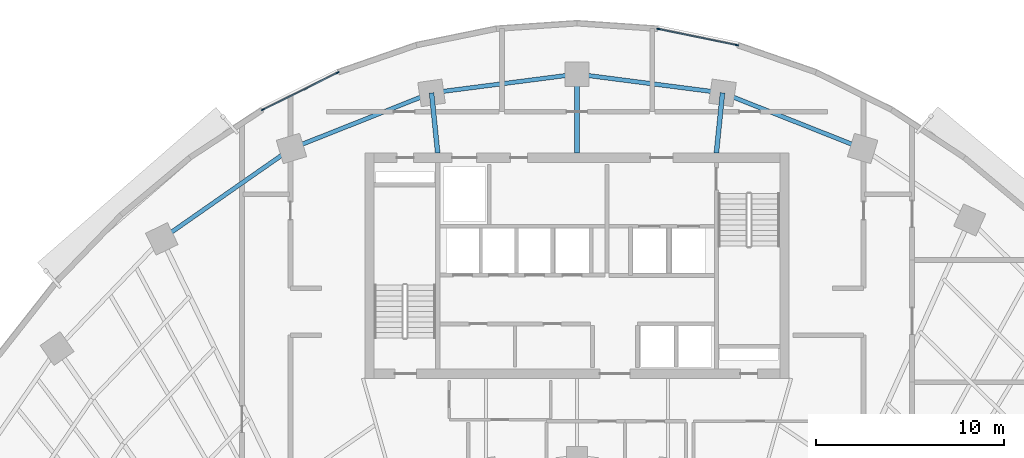
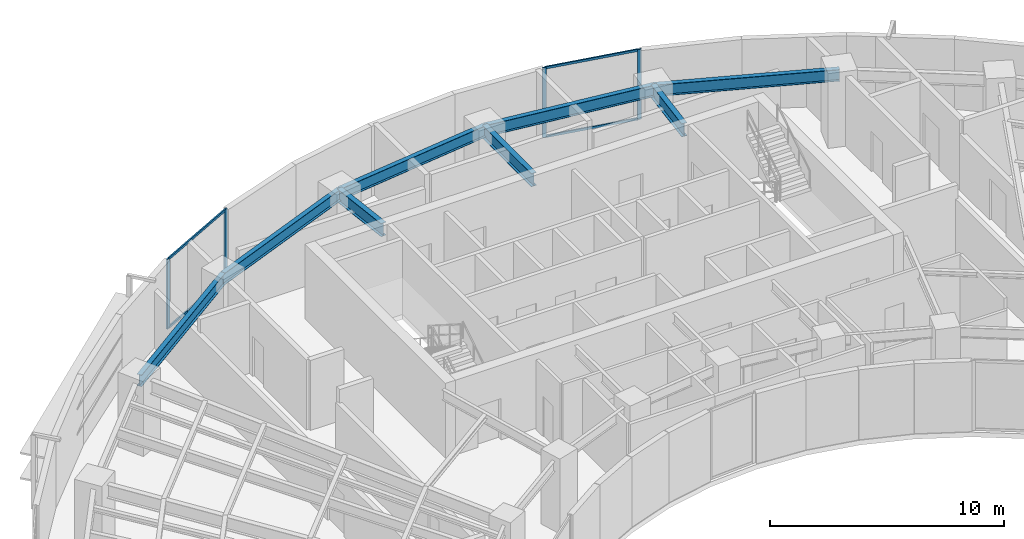
# One storey, part 5 of 14: 8 beams, 8 members, 2 elements without a shape of their own.
"""IFC4 building model written with IfcOpenShell, lengths in metres."""

from ifc_helpers import new_model, si_unit, direction, frame, origin, origin_2d, place, context, subcontext, project, spatial, rectangle, i_section, extrude, source, transform, mapped, material, layer, layer_set, material_profile, profile_set, type_object, element, aggregate, save


model = new_model("IFC4")

# Units and contexts
model_context = context("Model", 3, precision=1e-05, world=origin(), true_north=direction((0.0, 1.0)))
body_context = subcontext(model_context, "Body", "Model", "MODEL_VIEW")
ifc_project = project(units=[si_unit("LENGTHUNIT", "METRE"), si_unit("AREAUNIT", "SQUARE_METRE"), si_unit("VOLUMEUNIT", "CUBIC_METRE"), si_unit("PLANEANGLEUNIT", "RADIAN"), si_unit("MASSUNIT", "GRAM", prefix="KILO")], contexts=[model_context])

# Site, building, storey
site_placement = place(None, origin())
site = spatial("IfcSite", under=ifc_project, at=site_placement, CompositionType="ELEMENT")
building_placement = place(site_placement, origin())
building = spatial("IfcBuilding", under=site, at=building_placement, Name="Breltana Convention Tower", CompositionType="ELEMENT")
storey_placement = place(building_placement, frame((0.0, 0.0, 123.300048828125)))
storey = spatial("IfcBuildingStorey", under=building, at=storey_placement, Name="L29", CompositionType="ELEMENT", Elevation=123.300048828125)

# Beams
ifc_material_1 = material(Name="Steel ASTM A992 Grade 50", Category="steel")
ifc_material_profile_1 = material_profile(ifc_material_1, i_section(OverallWidth=0.25390625, OverallDepth=0.68798828125, WebThickness=0.01318359375, FlangeThickness=0.02099609375, at=origin_2d()), Name="W27X102")
ifc_profile_set_1 = profile_set([ifc_material_profile_1], Name="Steel ASTM A992 Grade 50")
beam_type_1 = type_object("IfcBeamType", Name="BM-RG-W27X102", PredefinedType="USERDEFINED", material=ifc_profile_set_1)
shared_shape_1 = source(origin(), body_context, "Body", "SweptSolid", [
    extrude(i_section(OverallWidth=0.25390625, OverallDepth=0.68798828125, WebThickness=0.01318359375, FlangeThickness=0.02099609375, at=origin_2d()), origin(), (0.0, 0.0, 1.0), 3.220947265625),
])
for number, where, z_axis, x_axis, name in (
    (1, (40.580078125, 72.199951171875, 3.305908203125), (-0.101492254858, 0.994836329355, 0.0), (-0.994836329355, -0.101492254858, 0.0), "L29 North Core Radial Girder R05"),
    (2, (55.419921875, 72.199951171875, 3.305908203125), (0.101492254858, 0.994836329355, 0.0), (-0.994836329355, 0.101492254858, 0.0), "L29 North Core Radial Girder R07"),
):
    element("IfcBeam", number, at=place(storey_placement, frame(where, z_axis=z_axis, x_axis=x_axis)), inside=storey, type_object=beam_type_1, Name=name, ObjectType="GIRDER", PredefinedType="USERDEFINED", context=body_context, shape_type="MappedRepresentation", body=[
        mapped(shared_shape_1, transform((0.0, 0.0, 0.0), scale=1.0)),
    ])
shared_shape_2 = source(origin(), body_context, "Body", "SweptSolid", [
    extrude(i_section(OverallWidth=0.25390625, OverallDepth=0.68798828125, WebThickness=0.01318359375, FlangeThickness=0.02099609375, at=origin_2d()), origin(), (0.0, 0.0, 1.0), 4.2041015625),
])
beam_1_placement = place(storey_placement, frame((48.0, 72.199951171875, 3.305908203125), z_axis=(0.0, 1.0, 0.0), x_axis=(-1.0, 0.0, 0.0)))
element("IfcBeam", 3, at=beam_1_placement, inside=storey, type_object=beam_type_1, Name="L29 North Core Radial Girder R06", ObjectType="GIRDER", PredefinedType="USERDEFINED", context=body_context, shape_type="MappedRepresentation", body=[
    mapped(shared_shape_2, transform((0.0, 0.0, 0.0), scale=1.0)),
])
ifc_material_profile_2 = material_profile(ifc_material_1, i_section(OverallWidth=0.22802734375, OverallDepth=0.60791015625, WebThickness=0.01123046875, FlangeThickness=0.017333984375, at=origin_2d()), Name="W24X76")
ifc_profile_set_2 = profile_set([ifc_material_profile_2], Name="Steel ASTM A992 Grade 50")
beam_type_2 = type_object("IfcBeamType", Name="BM-SP-W24X76", PredefinedType="SPANDREL", material=ifc_profile_set_2)
shared_shape_3 = source(origin(), body_context, "Body", "SweptSolid", [
    extrude(i_section(OverallWidth=0.22802734375, OverallDepth=0.60791015625, WebThickness=0.01123046875, FlangeThickness=0.017333984375, at=origin_2d()), origin(), (0.0, 0.0, 1.0), 8.4169921875),
])
beam_2_placement = place(storey_placement, frame((25.8876953125, 67.626953125, 3.345947265625), z_axis=(0.820173800102, 0.572114444519, 0.0), x_axis=(-0.572114444519, 0.820173800102, 0.0)))
element("IfcBeam", 4, at=beam_2_placement, inside=storey, type_object=beam_type_2, Name="L29 Outer Spandrel Beam 03", PredefinedType="SPANDREL", context=body_context, shape_type="MappedRepresentation", body=[
    mapped(shared_shape_3, transform((0.0, 0.0, 0.0), scale=1.0)),
])
shared_shape_4 = source(origin(), body_context, "Body", "SweptSolid", [
    extrude(i_section(OverallWidth=0.22802734375, OverallDepth=0.60791015625, WebThickness=0.01123046875, FlangeThickness=0.017333984375, at=origin_2d()), origin(), (0.0, 0.0, 1.0), 8.028564453125),
])
for number, where, z_axis, x_axis, name in (
    (5, (32.791015625, 72.4423828125, 3.345947265625), (0.929459100394, 0.368925169507, 0.0), (-0.368925169507, 0.929459100394, 0.0), "L29 Outer Spandrel Beam 04"),
    (6, (55.746826171875, 75.404296875, 3.345947265625), (0.929459100394, -0.368925169507, 0.0), (0.368925169507, 0.929459100394, 0.0), "L29 Outer Spandrel Beam 07"),
):
    element("IfcBeam", number, at=place(storey_placement, frame(where, z_axis=z_axis, x_axis=x_axis)), inside=storey, type_object=beam_type_2, Name=name, PredefinedType="SPANDREL", context=body_context, shape_type="MappedRepresentation", body=[
        mapped(shared_shape_4, transform((0.0, 0.0, 0.0), scale=1.0)),
    ])
shared_shape_5 = source(origin(), body_context, "Body", "SweptSolid", [
    extrude(i_section(OverallWidth=0.22802734375, OverallDepth=0.60791015625, WebThickness=0.01123046875, FlangeThickness=0.017333984375, at=origin_2d()), origin(), (0.0, 0.0, 1.0), 7.81103515625),
])
for number, where, z_axis, x_axis, name in (
    (7, (40.253173828125, 75.404296875, 3.345947265625), (0.991775179127, 0.127992164083, 0.0), (-0.127992164083, 0.991775179127, 0.0), "L29 Outer Spandrel Beam 05"),
    (8, (48.0, 76.404052734375, 3.345947265625), (0.991775179127, -0.127992164083, 0.0), (0.127992164083, 0.991775179127, 0.0), "L29 Outer Spandrel Beam 06"),
):
    element("IfcBeam", number, at=place(storey_placement, frame(where, z_axis=z_axis, x_axis=x_axis)), inside=storey, type_object=beam_type_2, Name=name, PredefinedType="SPANDREL", context=body_context, shape_type="MappedRepresentation", body=[
        mapped(shared_shape_5, transform((0.0, 0.0, 0.0), scale=1.0)),
    ])

# Curtain wall, members
ifc_material_2 = material(Name="Aluminium Anodised Bronze Frame", Category="aluminium")
ifc_layer = layer(ifc_material_2, 0.22998046875, Name="Aluminium Anodised Bronze Frame")
ifc_layer_set = layer_set([ifc_layer], Name="Aluminium Anodised Bronze Frame")
curtain_wall_type = type_object("IfcCurtainWallType", Name="CW-SYS-5", PredefinedType="NOTDEFINED", material=ifc_layer_set)
curtain_wall_1_placement = place(storey_placement, origin())
curtain_wall_1 = element("IfcCurtainWall", 9, at=curtain_wall_1_placement, inside=storey, type_object=curtain_wall_type, Name="L29 outer double-skin inner glazing 2", PredefinedType="NOTDEFINED")
ifc_material_3 = material(Name="Aluminium Anodised Bronze", Category="aluminium")
ifc_material_profile_3 = material_profile(ifc_material_3, rectangle(XDim=0.070068359375, YDim=0.175048828125, at=origin_2d()), Name="CWM-70X175")
ifc_profile_set_3 = profile_set([ifc_material_profile_3], Name="Aluminium Anodised Bronze")
member_type_1 = type_object("IfcMemberType", Name="CWM-175", PredefinedType="MULLION", material=ifc_profile_set_3)
shared_shape_6 = source(origin(), body_context, "Body", "SweptSolid", [
    extrude(rectangle(XDim=0.070068359375, YDim=0.175048828125, at=origin_2d()), origin(), (0.0, 0.0, 1.0), 3.64990234375),
])
member_1_placement = place(storey_placement, frame((31.280029296875, 74.511962890625, 0.0), z_axis=(0.0, 0.0, 1.0), x_axis=(-0.444121541007, 0.895966548937, 0.0)))
member_1 = element("IfcMember", 10, at=member_1_placement, type_object=member_type_1, Name="CW-05 mullion 1", PredefinedType="MULLION", context=body_context, shape_type="MappedRepresentation", body=[
    mapped(shared_shape_6, transform((0.0, 0.0, 0.0), scale=1.0)),
])
member_2_placement = place(storey_placement, frame((35.25439453125, 76.48193359375, 0.0), z_axis=(0.0, 0.0, 1.0), x_axis=(-0.444121541007, 0.895966548937, 0.0)))
member_2 = element("IfcMember", 11, at=member_2_placement, type_object=member_type_1, Name="CW-05 mullion 2", PredefinedType="MULLION", context=body_context, shape_type="MappedRepresentation", body=[
    mapped(shared_shape_6, transform((0.0, 0.0, 0.0), scale=1.0)),
])

curtain_wall_2_placement = place(storey_placement, origin())
curtain_wall_2 = element("IfcCurtainWall", 12, at=curtain_wall_2_placement, inside=storey, type_object=curtain_wall_type, Name="L29 outer double-skin inner glazing 3", PredefinedType="NOTDEFINED")
member_3_placement = place(storey_placement, frame((52.330078125, 78.805908203125, 0.0), z_axis=(0.0, 0.0, 1.0), x_axis=(0.200858550415, 0.979620254346, 0.0)))
member_3 = element("IfcMember", 13, at=member_3_placement, type_object=member_type_1, Name="CW-05 mullion 1", PredefinedType="MULLION", context=body_context, shape_type="MappedRepresentation", body=[
    mapped(shared_shape_6, transform((0.0, 0.0, 0.0), scale=1.0)),
])
member_4_placement = place(storey_placement, frame((56.513916015625, 77.947998046875, 0.0), z_axis=(0.0, 0.0, 1.0), x_axis=(0.200858550415, 0.979620254346, 0.0)))
member_4 = element("IfcMember", 14, at=member_4_placement, type_object=member_type_1, Name="CW-05 mullion 2", PredefinedType="MULLION", context=body_context, shape_type="MappedRepresentation", body=[
    mapped(shared_shape_6, transform((0.0, 0.0, 0.0), scale=1.0)),
])

# Member
ifc_material_profile_4 = material_profile(ifc_material_3, rectangle(XDim=0.070068359375, YDim=0.1201171875, at=origin_2d()), Name="CWT-70X120")
ifc_profile_set_4 = profile_set([ifc_material_profile_4], Name="Aluminium Anodised Bronze")
member_type_2 = type_object("IfcMemberType", Name="CWT-120", PredefinedType="USERDEFINED", material=ifc_profile_set_4)
shared_shape_7 = source(origin(), body_context, "Body", "SweptSolid", [
    extrude(rectangle(XDim=0.070068359375, YDim=0.1201171875, at=origin_2d()), origin(), (0.0, 0.0, 1.0), 4.365478515625),
])
member_5_placement = place(storey_placement, frame((31.3115234375, 74.52734375, 0.034912109375), z_axis=(0.89595425125, 0.44414634938, 0.0), x_axis=(-0.44414634938, 0.89595425125, 0.0)))
member_5 = element("IfcMember", 15, at=member_5_placement, type_object=member_type_2, Name="CW-05 transom 1.1", ObjectType="TRANSOM", PredefinedType="USERDEFINED", context=body_context, shape_type="MappedRepresentation", body=[
    mapped(shared_shape_7, transform((0.0, 0.0, 0.0), scale=1.0)),
])

member_6_placement = place(storey_placement, frame((31.3115234375, 74.52734375, 3.614990234375), z_axis=(0.89595425125, 0.44414634938, 0.0), x_axis=(-0.44414634938, 0.89595425125, 0.0)))
member_6 = element("IfcMember", 16, at=member_6_placement, type_object=member_type_2, Name="CW-05 transom 1.2", ObjectType="TRANSOM", PredefinedType="USERDEFINED", context=body_context, shape_type="MappedRepresentation", body=[
    mapped(shared_shape_7, transform((0.0, 0.0, 0.0), scale=1.0)),
])

aggregate(curtain_wall_1, [member_1, member_2, member_5, member_6])

shared_shape_8 = source(origin(), body_context, "Body", "SweptSolid", [
    extrude(rectangle(XDim=0.070068359375, YDim=0.1201171875, at=origin_2d()), origin(), (0.0, 0.0, 1.0), 4.200927734375),
])
member_7_placement = place(storey_placement, frame((52.364501953125, 78.798828125, 0.034912109375), z_axis=(0.979621469833, -0.200852622196, 0.0), x_axis=(0.200852622196, 0.979621469833, 0.0)))
member_7 = element("IfcMember", 17, at=member_7_placement, type_object=member_type_2, Name="CW-05 transom 1.1", ObjectType="TRANSOM", PredefinedType="USERDEFINED", context=body_context, shape_type="MappedRepresentation", body=[
    mapped(shared_shape_8, transform((0.0, 0.0, 0.0), scale=1.0)),
])

member_8_placement = place(storey_placement, frame((52.364501953125, 78.798828125, 3.614990234375), z_axis=(0.979621469833, -0.200852622196, 0.0), x_axis=(0.200852622196, 0.979621469833, 0.0)))
member_8 = element("IfcMember", 18, at=member_8_placement, type_object=member_type_2, Name="CW-05 transom 1.2", ObjectType="TRANSOM", PredefinedType="USERDEFINED", context=body_context, shape_type="MappedRepresentation", body=[
    mapped(shared_shape_8, transform((0.0, 0.0, 0.0), scale=1.0)),
])

aggregate(curtain_wall_2, [member_3, member_4, member_7, member_8])

save(model, "model.ifc")
